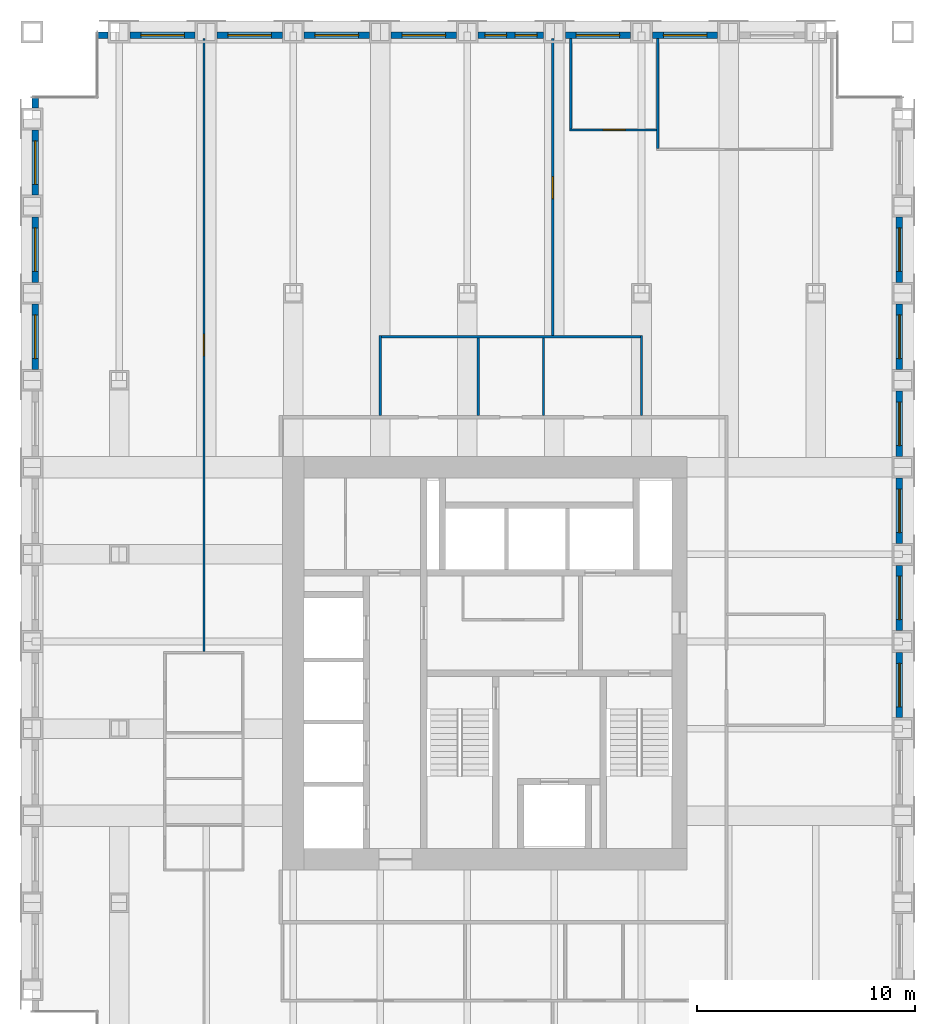
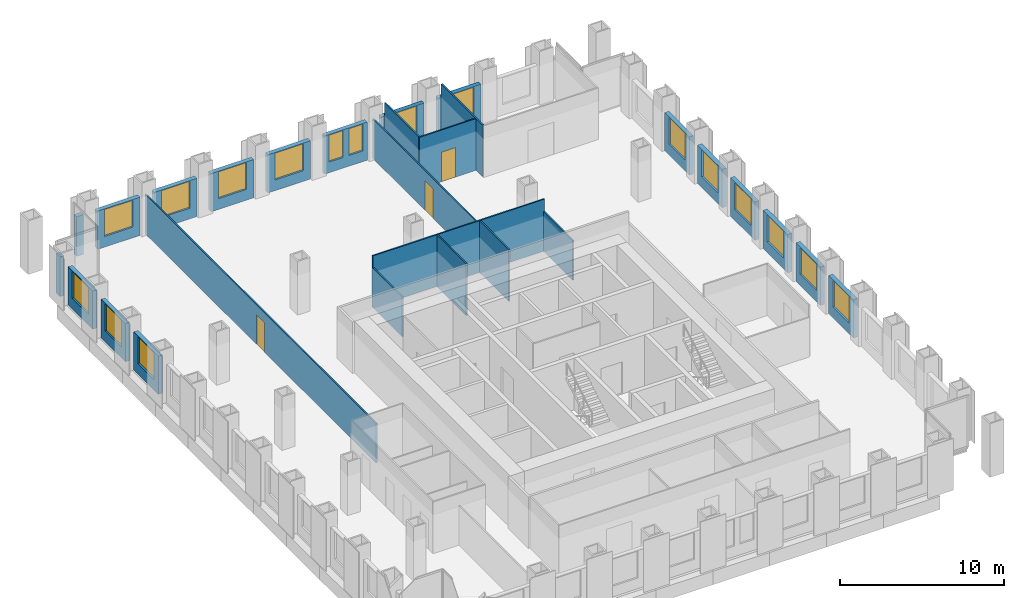
# One storey, part 11 of 13: 28 walls, 17 windows, 3 doors, 20 openings.
"""IFC4 building model written with IfcOpenShell, lengths in metres."""

from ifc_helpers import new_model, si_unit, direction, frame, frame_2d, origin, place, context, subcontext, project, spatial, rectangle, extrude, material, layer, layer_set, type_object, element, fill, save


model = new_model("IFC4")

# Units and contexts
model_context = context("Model", 3, precision=1e-05, world=origin(), true_north=direction((0.0, 1.0)))
body_context = subcontext(model_context, "Body", "Model", "MODEL_VIEW")
ifc_project = project(units=[si_unit("LENGTHUNIT", "METRE"), si_unit("AREAUNIT", "SQUARE_METRE"), si_unit("VOLUMEUNIT", "CUBIC_METRE"), si_unit("PLANEANGLEUNIT", "RADIAN"), si_unit("MASSUNIT", "GRAM", prefix="KILO")], contexts=[model_context])

# Site, building, storey
site_placement = place(None, origin())
site = spatial("IfcSite", under=ifc_project, at=site_placement, CompositionType="ELEMENT")
building_placement = place(site_placement, origin())
building = spatial("IfcBuilding", under=site, at=building_placement, Name="Rimbunsela Tower", CompositionType="ELEMENT")
storey_placement = place(building_placement, frame((0.0, 0.0, 191.800048828125)))
storey = spatial("IfcBuildingStorey", under=building, at=storey_placement, Name="L46", CompositionType="ELEMENT", Elevation=191.800048828125)

# Wall, opening, door
ifc_material_1 = material(Name="Gypsum board on steel studs", Category="steel")
ifc_layer_1 = layer(ifc_material_1, 0.10009765625)
ifc_layer_set_1 = layer_set([ifc_layer_1], Name="Office partition 100")
wall_type_1 = type_object("IfcWallType", Name="Office partition 100", PredefinedType="PARTITIONING", material=ifc_layer_set_1)
wall_1_placement = place(storey_placement, frame((30.699951171875, 51.5, 0.0), z_axis=(0.0, 0.0, 1.0), x_axis=(1.0, 0.0, 0.0)))
wall_1 = element("IfcWall", 1, at=wall_1_placement, inside=storey, type_object=wall_type_1, Name="Office partition", PredefinedType="PARTITIONING", context=body_context, shape_type="SweptSolid", body=[
    extrude(rectangle(XDim=4.0, YDim=0.10009765625, at=frame_2d((2.0, 0.0))), origin(), (0.0, 0.0, 1.0), 3.849853515625),
])
opening_1_placement = place(wall_1_placement, frame((1.550048828125, 0.0, 0.0)))
opening_1 = element("IfcOpeningElement", 2, at=opening_1_placement, cuts=wall_1, Name="Opening D16", PredefinedType="OPENING", context=body_context, shape_type="SweptSolid", body=[
    extrude(rectangle(XDim=1.0, YDim=2.199951171875, at=frame_2d((0.5, 1.10009765625))), frame((0.0, 0.06005859375, 0.0), z_axis=(0.0, -1.0, 0.0), x_axis=(1.0, 0.0, 0.0)), (0.0, 0.0, 1.0), 0.1201171875),
])
ifc_material_2 = material(Name="Timber door", Category="wood")
door_type_1 = type_object("IfcDoorType", Name="Office door 1000", OperationType="SINGLE_SWING_LEFT", PredefinedType="DOOR", material=ifc_material_2)
door_1_placement = place(opening_1_placement, origin())
door_1 = element("IfcDoor", 3, at=door_1_placement, inside=storey, type_object=door_type_1, Name="Office door", OperationType="SINGLE_SWING_LEFT", OverallHeight=2.199951171875, OverallWidth=1.0, PredefinedType="DOOR", context=body_context, shape_type="SweptSolid", body=[
    extrude(rectangle(XDim=1.0, YDim=2.199951171875, at=frame_2d((0.5, 1.10009765625))), frame((0.0, 0.02490234375, 0.0), z_axis=(0.0, -1.0, 0.0), x_axis=(1.0, 0.0, 0.0)), (0.0, 0.0, 1.0), 0.050048828125),
])
fill(opening_1, door_1)

# Walls
wall_2_placement = place(storey_placement, frame((30.75, 51.550048828125, 0.0), z_axis=(0.0, 0.0, 1.0), x_axis=(0.0, 1.0, 0.0)))
element("IfcWall", 4, at=wall_2_placement, inside=storey, type_object=wall_type_1, Name="Office partition", PredefinedType="PARTITIONING", context=body_context, shape_type="SweptSolid", body=[
    extrude(rectangle(XDim=4.14990234375, YDim=0.10009765625, at=frame_2d((2.074951171875, 0.0))), origin(), (0.0, 0.0, 1.0), 3.849853515625),
])
wall_3_placement = place(storey_placement, frame((34.75, 50.64990234375, 0.0), z_axis=(0.0, 0.0, 1.0), x_axis=(0.0, 1.0, 0.0)))
element("IfcWall", 5, at=wall_3_placement, inside=storey, type_object=wall_type_1, Name="Office partition", PredefinedType="PARTITIONING", context=body_context, shape_type="SweptSolid", body=[
    extrude(rectangle(XDim=5.050048828125, YDim=0.10009765625, at=frame_2d((2.52490234375, 0.0))), origin(), (0.0, 0.0, 1.0), 3.849853515625),
])

# Wall, opening, door
wall_4_placement = place(storey_placement, frame((29.925048828125, 55.699951171875, 0.0), z_axis=(0.0, 0.0, 1.0), x_axis=(0.0, -1.0, 0.0)))
wall_4 = element("IfcWall", 6, at=wall_4_placement, inside=storey, type_object=wall_type_1, Name="Office partition", PredefinedType="PARTITIONING", context=body_context, shape_type="SweptSolid", body=[
    extrude(rectangle(XDim=13.699951171875, YDim=0.10009765625, at=frame_2d((6.85009765625, 0.0))), origin(), (0.0, 0.0, 1.0), 2.949951171875),
])
opening_2_placement = place(wall_4_placement, frame((6.35009765625, 0.0, 0.0)))
opening_2 = element("IfcOpeningElement", 7, at=opening_2_placement, cuts=wall_4, Name="Opening D17", PredefinedType="OPENING", context=body_context, shape_type="SweptSolid", body=[
    extrude(rectangle(XDim=1.0, YDim=2.199951171875, at=frame_2d((0.5, 1.10009765625))), frame((0.0, 0.06005859375, 0.0), z_axis=(0.0, -1.0, 0.0), x_axis=(1.0, 0.0, 0.0)), (0.0, 0.0, 1.0), 0.1201171875),
])
ifc_material_3 = material(Name="Glazed aluminium door", Category="aluminium")
door_type_2 = type_object("IfcDoorType", Name="Meeting room door 1000 glazed", OperationType="SINGLE_SWING_RIGHT", PredefinedType="DOOR", material=ifc_material_3)
door_2_placement = place(opening_2_placement, origin())
door_2 = element("IfcDoor", 8, at=door_2_placement, inside=storey, type_object=door_type_2, Name="Open office screen door", OperationType="SINGLE_SWING_RIGHT", OverallHeight=2.199951171875, OverallWidth=1.0, PredefinedType="DOOR", context=body_context, shape_type="SweptSolid", body=[
    extrude(rectangle(XDim=1.0, YDim=2.199951171875, at=frame_2d((0.5, 1.10009765625))), frame((0.0, 0.02490234375, 0.0), z_axis=(0.0, -1.0, 0.0), x_axis=(1.0, 0.0, 0.0)), (0.0, 0.0, 1.0), 0.050048828125),
])
fill(opening_2, door_2)

wall_5_placement = place(storey_placement, frame((13.89990234375, 27.550048828125, 0.0), z_axis=(0.0, 0.0, 1.0), x_axis=(0.0, 1.0, 0.0)))
wall_5 = element("IfcWall", 9, at=wall_5_placement, inside=storey, type_object=wall_type_1, Name="Office partition", PredefinedType="PARTITIONING", context=body_context, shape_type="SweptSolid", body=[
    extrude(rectangle(XDim=28.14990234375, YDim=0.10009765625, at=frame_2d((14.074951171875, 0.0))), origin(), (0.0, 0.0, 1.0), 2.949951171875),
])
opening_3_placement = place(wall_5_placement, frame((13.574951171875, 0.0, 0.0)))
opening_3 = element("IfcOpeningElement", 10, at=opening_3_placement, cuts=wall_5, Name="Opening D17", PredefinedType="OPENING", context=body_context, shape_type="SweptSolid", body=[
    extrude(rectangle(XDim=1.0, YDim=2.199951171875, at=frame_2d((0.5, 1.10009765625))), frame((0.0, 0.06005859375, 0.0), z_axis=(0.0, -1.0, 0.0), x_axis=(1.0, 0.0, 0.0)), (0.0, 0.0, 1.0), 0.1201171875),
])
door_3_placement = place(opening_3_placement, origin())
door_3 = element("IfcDoor", 11, at=door_3_placement, inside=storey, type_object=door_type_2, Name="Open office screen door", OperationType="SINGLE_SWING_RIGHT", OverallHeight=2.199951171875, OverallWidth=1.0, PredefinedType="DOOR", context=body_context, shape_type="SweptSolid", body=[
    extrude(rectangle(XDim=1.0, YDim=2.199951171875, at=frame_2d((0.5, 1.10009765625))), frame((0.0, 0.02490234375, 0.0), z_axis=(0.0, -1.0, 0.0), x_axis=(1.0, 0.0, 0.0)), (0.0, 0.0, 1.0), 0.050048828125),
])
fill(opening_3, door_3)

# Wall, opening, window
ifc_material_4 = material(Name="Precast concrete fc' 35 MPa", Category="concrete")
ifc_layer_2 = layer(ifc_material_4, 0.300048828125)
ifc_layer_set_2 = layer_set([ifc_layer_2], Name="Precast concrete fc' 35 MPa")
wall_type_2 = type_object("IfcWallType", Name="Precast facade panel 300", PredefinedType="ELEMENTEDWALL", material=ifc_layer_set_2)
wall_6_placement = place(storey_placement, frame((45.85009765625, 24.5, 0.0), z_axis=(0.0, 0.0, 1.0), x_axis=(0.0, 1.0, 0.0)))
wall_6 = element("IfcWall", 12, at=wall_6_placement, inside=storey, type_object=wall_type_2, Name="Facade panel E L46", PredefinedType="ELEMENTEDWALL", context=body_context, shape_type="SweptSolid", body=[
    extrude(rectangle(XDim=3.0, YDim=0.300048828125, at=frame_2d((1.5, 0.0))), origin(), (0.0, 0.0, 1.0), 2.849853515625),
])
opening_4_placement = place(wall_6_placement, frame((0.5, 0.0, 0.800048828125)))
opening_4 = element("IfcOpeningElement", 13, at=opening_4_placement, cuts=wall_6, Name="Opening W1", PredefinedType="OPENING", context=body_context, shape_type="SweptSolid", body=[
    extrude(rectangle(XDim=2.0, YDim=2.0, at=frame_2d((1.0, 1.0))), frame((0.0, 0.159912109375, 0.0), z_axis=(0.0, -1.0, 0.0), x_axis=(1.0, 0.0, 0.0)), (0.0, 0.0, 1.0), 0.320068359375),
])
ifc_material_5 = material(Name="Clear glass in aluminium frame", Category="aluminium")
window_type_1 = type_object("IfcWindowType", Name="Window W1 2000x2000", PartitioningType="DOUBLE_PANEL_VERTICAL", PredefinedType="WINDOW", material=ifc_material_5)
window_1_placement = place(opening_4_placement, origin())
window_1 = element("IfcWindow", 14, at=window_1_placement, inside=storey, type_object=window_type_1, Name="Window L46", OverallHeight=2.0, OverallWidth=2.0, PartitioningType="SINGLE_PANEL", PredefinedType="WINDOW", context=body_context, shape_type="SweptSolid", body=[
    extrude(rectangle(XDim=2.0, YDim=2.0, at=frame_2d((1.0, 1.0))), frame((0.0, 0.030029296875, 0.0), z_axis=(0.0, -1.0, 0.0), x_axis=(1.0, 0.0, 0.0)), (0.0, 0.0, 1.0), 0.06005859375),
])
fill(opening_4, window_1)

wall_7_placement = place(storey_placement, frame((45.85009765625, 28.5, 0.0), z_axis=(0.0, 0.0, 1.0), x_axis=(0.0, 1.0, 0.0)))
wall_7 = element("IfcWall", 15, at=wall_7_placement, inside=storey, type_object=wall_type_2, Name="Facade panel E L46", PredefinedType="ELEMENTEDWALL", context=body_context, shape_type="SweptSolid", body=[
    extrude(rectangle(XDim=3.0, YDim=0.300048828125, at=frame_2d((1.5, 0.0))), origin(), (0.0, 0.0, 1.0), 2.849853515625),
])
opening_5_placement = place(wall_7_placement, frame((0.5, 0.0, 0.800048828125)))
opening_5 = element("IfcOpeningElement", 16, at=opening_5_placement, cuts=wall_7, Name="Opening W1", PredefinedType="OPENING", context=body_context, shape_type="SweptSolid", body=[
    extrude(rectangle(XDim=2.0, YDim=2.0, at=frame_2d((1.0, 1.0))), frame((0.0, 0.159912109375, 0.0), z_axis=(0.0, -1.0, 0.0), x_axis=(1.0, 0.0, 0.0)), (0.0, 0.0, 1.0), 0.320068359375),
])
window_2_placement = place(opening_5_placement, origin())
window_2 = element("IfcWindow", 17, at=window_2_placement, inside=storey, type_object=window_type_1, Name="Window L46", OverallHeight=2.0, OverallWidth=2.0, PartitioningType="SINGLE_PANEL", PredefinedType="WINDOW", context=body_context, shape_type="SweptSolid", body=[
    extrude(rectangle(XDim=2.0, YDim=2.0, at=frame_2d((1.0, 1.0))), frame((0.0, 0.030029296875, 0.0), z_axis=(0.0, -1.0, 0.0), x_axis=(1.0, 0.0, 0.0)), (0.0, 0.0, 1.0), 0.06005859375),
])
fill(opening_5, window_2)

wall_8_placement = place(storey_placement, frame((45.85009765625, 32.5, 0.0), z_axis=(0.0, 0.0, 1.0), x_axis=(0.0, 1.0, 0.0)))
wall_8 = element("IfcWall", 18, at=wall_8_placement, inside=storey, type_object=wall_type_2, Name="Facade panel E L46", PredefinedType="ELEMENTEDWALL", context=body_context, shape_type="SweptSolid", body=[
    extrude(rectangle(XDim=3.0, YDim=0.300048828125, at=frame_2d((1.5, 0.0))), origin(), (0.0, 0.0, 1.0), 2.849853515625),
])
opening_6_placement = place(wall_8_placement, frame((0.5, 0.0, 0.800048828125)))
opening_6 = element("IfcOpeningElement", 19, at=opening_6_placement, cuts=wall_8, Name="Opening W1", PredefinedType="OPENING", context=body_context, shape_type="SweptSolid", body=[
    extrude(rectangle(XDim=2.0, YDim=2.0, at=frame_2d((1.0, 1.0))), frame((0.0, 0.159912109375, 0.0), z_axis=(0.0, -1.0, 0.0), x_axis=(1.0, 0.0, 0.0)), (0.0, 0.0, 1.0), 0.320068359375),
])
window_3_placement = place(opening_6_placement, origin())
window_3 = element("IfcWindow", 20, at=window_3_placement, inside=storey, type_object=window_type_1, Name="Window L46", OverallHeight=2.0, OverallWidth=2.0, PartitioningType="SINGLE_PANEL", PredefinedType="WINDOW", context=body_context, shape_type="SweptSolid", body=[
    extrude(rectangle(XDim=2.0, YDim=2.0, at=frame_2d((1.0, 1.0))), frame((0.0, 0.030029296875, 0.0), z_axis=(0.0, -1.0, 0.0), x_axis=(1.0, 0.0, 0.0)), (0.0, 0.0, 1.0), 0.06005859375),
])
fill(opening_6, window_3)

wall_9_placement = place(storey_placement, frame((45.85009765625, 36.5, 0.0), z_axis=(0.0, 0.0, 1.0), x_axis=(0.0, 1.0, 0.0)))
wall_9 = element("IfcWall", 21, at=wall_9_placement, inside=storey, type_object=wall_type_2, Name="Facade panel E L46", PredefinedType="ELEMENTEDWALL", context=body_context, shape_type="SweptSolid", body=[
    extrude(rectangle(XDim=3.0, YDim=0.300048828125, at=frame_2d((1.5, 0.0))), origin(), (0.0, 0.0, 1.0), 2.849853515625),
])
opening_7_placement = place(wall_9_placement, frame((0.5, 0.0, 0.800048828125)))
opening_7 = element("IfcOpeningElement", 22, at=opening_7_placement, cuts=wall_9, Name="Opening W1", PredefinedType="OPENING", context=body_context, shape_type="SweptSolid", body=[
    extrude(rectangle(XDim=2.0, YDim=2.0, at=frame_2d((1.0, 1.0))), frame((0.0, 0.159912109375, 0.0), z_axis=(0.0, -1.0, 0.0), x_axis=(1.0, 0.0, 0.0)), (0.0, 0.0, 1.0), 0.320068359375),
])
window_4_placement = place(opening_7_placement, origin())
window_4 = element("IfcWindow", 23, at=window_4_placement, inside=storey, type_object=window_type_1, Name="Window L46", OverallHeight=2.0, OverallWidth=2.0, PartitioningType="SINGLE_PANEL", PredefinedType="WINDOW", context=body_context, shape_type="SweptSolid", body=[
    extrude(rectangle(XDim=2.0, YDim=2.0, at=frame_2d((1.0, 1.0))), frame((0.0, 0.030029296875, 0.0), z_axis=(0.0, -1.0, 0.0), x_axis=(1.0, 0.0, 0.0)), (0.0, 0.0, 1.0), 0.06005859375),
])
fill(opening_7, window_4)

wall_10_placement = place(storey_placement, frame((45.85009765625, 40.5, 0.0), z_axis=(0.0, 0.0, 1.0), x_axis=(0.0, 1.0, 0.0)))
wall_10 = element("IfcWall", 24, at=wall_10_placement, inside=storey, type_object=wall_type_2, Name="Facade panel E L46", PredefinedType="ELEMENTEDWALL", context=body_context, shape_type="SweptSolid", body=[
    extrude(rectangle(XDim=3.0, YDim=0.300048828125, at=frame_2d((1.5, 0.0))), origin(), (0.0, 0.0, 1.0), 2.849853515625),
])
opening_8_placement = place(wall_10_placement, frame((0.5, 0.0, 0.800048828125)))
opening_8 = element("IfcOpeningElement", 25, at=opening_8_placement, cuts=wall_10, Name="Opening W1", PredefinedType="OPENING", context=body_context, shape_type="SweptSolid", body=[
    extrude(rectangle(XDim=2.0, YDim=2.0, at=frame_2d((1.0, 1.0))), frame((0.0, 0.159912109375, 0.0), z_axis=(0.0, -1.0, 0.0), x_axis=(1.0, 0.0, 0.0)), (0.0, 0.0, 1.0), 0.320068359375),
])
window_5_placement = place(opening_8_placement, origin())
window_5 = element("IfcWindow", 26, at=window_5_placement, inside=storey, type_object=window_type_1, Name="Window L46", OverallHeight=2.0, OverallWidth=2.0, PartitioningType="SINGLE_PANEL", PredefinedType="WINDOW", context=body_context, shape_type="SweptSolid", body=[
    extrude(rectangle(XDim=2.0, YDim=2.0, at=frame_2d((1.0, 1.0))), frame((0.0, 0.030029296875, 0.0), z_axis=(0.0, -1.0, 0.0), x_axis=(1.0, 0.0, 0.0)), (0.0, 0.0, 1.0), 0.06005859375),
])
fill(opening_8, window_5)

wall_11_placement = place(storey_placement, frame((45.85009765625, 44.5, 0.0), z_axis=(0.0, 0.0, 1.0), x_axis=(0.0, 1.0, 0.0)))
wall_11 = element("IfcWall", 27, at=wall_11_placement, inside=storey, type_object=wall_type_2, Name="Facade panel E L46", PredefinedType="ELEMENTEDWALL", context=body_context, shape_type="SweptSolid", body=[
    extrude(rectangle(XDim=3.0, YDim=0.300048828125, at=frame_2d((1.5, 0.0))), origin(), (0.0, 0.0, 1.0), 2.849853515625),
])
opening_9_placement = place(wall_11_placement, frame((0.5, 0.0, 0.800048828125)))
opening_9 = element("IfcOpeningElement", 28, at=opening_9_placement, cuts=wall_11, Name="Opening W1", PredefinedType="OPENING", context=body_context, shape_type="SweptSolid", body=[
    extrude(rectangle(XDim=2.0, YDim=2.0, at=frame_2d((1.0, 1.0))), frame((0.0, 0.159912109375, 0.0), z_axis=(0.0, -1.0, 0.0), x_axis=(1.0, 0.0, 0.0)), (0.0, 0.0, 1.0), 0.320068359375),
])
window_6_placement = place(opening_9_placement, origin())
window_6 = element("IfcWindow", 29, at=window_6_placement, inside=storey, type_object=window_type_1, Name="Window L46", OverallHeight=2.0, OverallWidth=2.0, PartitioningType="SINGLE_PANEL", PredefinedType="WINDOW", context=body_context, shape_type="SweptSolid", body=[
    extrude(rectangle(XDim=2.0, YDim=2.0, at=frame_2d((1.0, 1.0))), frame((0.0, 0.030029296875, 0.0), z_axis=(0.0, -1.0, 0.0), x_axis=(1.0, 0.0, 0.0)), (0.0, 0.0, 1.0), 0.06005859375),
])
fill(opening_9, window_6)

# Wall
wall_12_placement = place(storey_placement, frame((9.5, 55.85009765625, 0.0), z_axis=(0.0, 0.0, 1.0), x_axis=(-1.0, 0.0, 0.0)))
element("IfcWall", 30, at=wall_12_placement, inside=storey, type_object=wall_type_2, Name="Facade panel N L46", PredefinedType="ELEMENTEDWALL", context=body_context, shape_type="SweptSolid", body=[
    extrude(rectangle(XDim=0.469970703125, YDim=0.300048828125, at=frame_2d((0.23486328125, 0.0))), origin(), (0.0, 0.0, 1.0), 2.949951171875),
])

# Wall, opening, window
wall_13_placement = place(storey_placement, frame((13.5, 55.85009765625, 0.0), z_axis=(0.0, 0.0, 1.0), x_axis=(-1.0, 0.0, 0.0)))
wall_13 = element("IfcWall", 31, at=wall_13_placement, inside=storey, type_object=wall_type_2, Name="Facade panel N L46", PredefinedType="ELEMENTEDWALL", context=body_context, shape_type="SweptSolid", body=[
    extrude(rectangle(XDim=3.0, YDim=0.300048828125, at=frame_2d((1.5, 0.0))), origin(), (0.0, 0.0, 1.0), 2.849853515625),
])
opening_10_placement = place(wall_13_placement, frame((0.5, 0.0, 0.800048828125)))
opening_10 = element("IfcOpeningElement", 32, at=opening_10_placement, cuts=wall_13, Name="Opening W1", PredefinedType="OPENING", context=body_context, shape_type="SweptSolid", body=[
    extrude(rectangle(XDim=2.0, YDim=2.0, at=frame_2d((1.0, 1.0))), frame((0.0, 0.159912109375, 0.0), z_axis=(0.0, -1.0, 0.0), x_axis=(1.0, 0.0, 0.0)), (0.0, 0.0, 1.0), 0.320068359375),
])
window_7_placement = place(opening_10_placement, origin())
window_7 = element("IfcWindow", 33, at=window_7_placement, inside=storey, type_object=window_type_1, Name="Window L46", OverallHeight=2.0, OverallWidth=2.0, PartitioningType="SINGLE_PANEL", PredefinedType="WINDOW", context=body_context, shape_type="SweptSolid", body=[
    extrude(rectangle(XDim=2.0, YDim=2.0, at=frame_2d((1.0, 1.0))), frame((0.0, 0.030029296875, 0.0), z_axis=(0.0, -1.0, 0.0), x_axis=(1.0, 0.0, 0.0)), (0.0, 0.0, 1.0), 0.06005859375),
])
fill(opening_10, window_7)

wall_14_placement = place(storey_placement, frame((17.5, 55.85009765625, 0.0), z_axis=(0.0, 0.0, 1.0), x_axis=(-1.0, 0.0, 0.0)))
wall_14 = element("IfcWall", 34, at=wall_14_placement, inside=storey, type_object=wall_type_2, Name="Facade panel N L46", PredefinedType="ELEMENTEDWALL", context=body_context, shape_type="SweptSolid", body=[
    extrude(rectangle(XDim=3.0, YDim=0.300048828125, at=frame_2d((1.5, 0.0))), origin(), (0.0, 0.0, 1.0), 2.849853515625),
])
opening_11_placement = place(wall_14_placement, frame((0.5, 0.0, 0.800048828125)))
opening_11 = element("IfcOpeningElement", 35, at=opening_11_placement, cuts=wall_14, Name="Opening W1", PredefinedType="OPENING", context=body_context, shape_type="SweptSolid", body=[
    extrude(rectangle(XDim=2.0, YDim=2.0, at=frame_2d((1.0, 1.0))), frame((0.0, 0.159912109375, 0.0), z_axis=(0.0, -1.0, 0.0), x_axis=(1.0, 0.0, 0.0)), (0.0, 0.0, 1.0), 0.320068359375),
])
window_8_placement = place(opening_11_placement, origin())
window_8 = element("IfcWindow", 36, at=window_8_placement, inside=storey, type_object=window_type_1, Name="Window L46", OverallHeight=2.0, OverallWidth=2.0, PartitioningType="SINGLE_PANEL", PredefinedType="WINDOW", context=body_context, shape_type="SweptSolid", body=[
    extrude(rectangle(XDim=2.0, YDim=2.0, at=frame_2d((1.0, 1.0))), frame((0.0, 0.030029296875, 0.0), z_axis=(0.0, -1.0, 0.0), x_axis=(1.0, 0.0, 0.0)), (0.0, 0.0, 1.0), 0.06005859375),
])
fill(opening_11, window_8)

wall_15_placement = place(storey_placement, frame((21.5, 55.85009765625, 0.0), z_axis=(0.0, 0.0, 1.0), x_axis=(-1.0, 0.0, 0.0)))
wall_15 = element("IfcWall", 37, at=wall_15_placement, inside=storey, type_object=wall_type_2, Name="Facade panel N L46", PredefinedType="ELEMENTEDWALL", context=body_context, shape_type="SweptSolid", body=[
    extrude(rectangle(XDim=3.0, YDim=0.300048828125, at=frame_2d((1.5, 0.0))), origin(), (0.0, 0.0, 1.0), 2.849853515625),
])
opening_12_placement = place(wall_15_placement, frame((0.5, 0.0, 0.800048828125)))
opening_12 = element("IfcOpeningElement", 38, at=opening_12_placement, cuts=wall_15, Name="Opening W1", PredefinedType="OPENING", context=body_context, shape_type="SweptSolid", body=[
    extrude(rectangle(XDim=2.0, YDim=2.0, at=frame_2d((1.0, 1.0))), frame((0.0, 0.159912109375, 0.0), z_axis=(0.0, -1.0, 0.0), x_axis=(1.0, 0.0, 0.0)), (0.0, 0.0, 1.0), 0.320068359375),
])
window_9_placement = place(opening_12_placement, origin())
window_9 = element("IfcWindow", 39, at=window_9_placement, inside=storey, type_object=window_type_1, Name="Window L46", OverallHeight=2.0, OverallWidth=2.0, PartitioningType="SINGLE_PANEL", PredefinedType="WINDOW", context=body_context, shape_type="SweptSolid", body=[
    extrude(rectangle(XDim=2.0, YDim=2.0, at=frame_2d((1.0, 1.0))), frame((0.0, 0.030029296875, 0.0), z_axis=(0.0, -1.0, 0.0), x_axis=(1.0, 0.0, 0.0)), (0.0, 0.0, 1.0), 0.06005859375),
])
fill(opening_12, window_9)

wall_16_placement = place(storey_placement, frame((25.5, 55.85009765625, 0.0), z_axis=(0.0, 0.0, 1.0), x_axis=(-1.0, 0.0, 0.0)))
wall_16 = element("IfcWall", 40, at=wall_16_placement, inside=storey, type_object=wall_type_2, Name="Facade panel N L46", PredefinedType="ELEMENTEDWALL", context=body_context, shape_type="SweptSolid", body=[
    extrude(rectangle(XDim=3.0, YDim=0.300048828125, at=frame_2d((1.5, 0.0))), origin(), (0.0, 0.0, 1.0), 2.849853515625),
])
opening_13_placement = place(wall_16_placement, frame((0.5, 0.0, 0.800048828125)))
opening_13 = element("IfcOpeningElement", 41, at=opening_13_placement, cuts=wall_16, Name="Opening W1", PredefinedType="OPENING", context=body_context, shape_type="SweptSolid", body=[
    extrude(rectangle(XDim=2.0, YDim=2.0, at=frame_2d((1.0, 1.0))), frame((0.0, 0.159912109375, 0.0), z_axis=(0.0, -1.0, 0.0), x_axis=(1.0, 0.0, 0.0)), (0.0, 0.0, 1.0), 0.320068359375),
])
window_10_placement = place(opening_13_placement, origin())
window_10 = element("IfcWindow", 42, at=window_10_placement, inside=storey, type_object=window_type_1, Name="Window L46", OverallHeight=2.0, OverallWidth=2.0, PartitioningType="SINGLE_PANEL", PredefinedType="WINDOW", context=body_context, shape_type="SweptSolid", body=[
    extrude(rectangle(XDim=2.0, YDim=2.0, at=frame_2d((1.0, 1.0))), frame((0.0, 0.030029296875, 0.0), z_axis=(0.0, -1.0, 0.0), x_axis=(1.0, 0.0, 0.0)), (0.0, 0.0, 1.0), 0.06005859375),
])
fill(opening_13, window_10)

# Wall, openings, windows
wall_17_placement = place(storey_placement, frame((29.5, 55.85009765625, 0.0), z_axis=(0.0, 0.0, 1.0), x_axis=(-1.0, 0.0, 0.0)))
wall_17 = element("IfcWall", 43, at=wall_17_placement, inside=storey, type_object=wall_type_2, Name="Facade panel N L46", PredefinedType="ELEMENTEDWALL", context=body_context, shape_type="SweptSolid", body=[
    extrude(rectangle(XDim=3.0, YDim=0.300048828125, at=frame_2d((1.5, 0.0))), origin(), (0.0, 0.0, 1.0), 2.849853515625),
])
opening_14_placement = place(wall_17_placement, frame((1.699951171875, 0.0, 0.800048828125)))
opening_14 = element("IfcOpeningElement", 44, at=opening_14_placement, cuts=wall_17, Name="Opening W5", PredefinedType="OPENING", context=body_context, shape_type="SweptSolid", body=[
    extrude(rectangle(XDim=1.0, YDim=2.0, at=frame_2d((0.5, 1.0))), frame((0.0, 0.159912109375, 0.0), z_axis=(0.0, -1.0, 0.0), x_axis=(1.0, 0.0, 0.0)), (0.0, 0.0, 1.0), 0.320068359375),
])
opening_15_placement = place(wall_17_placement, frame((0.300048828125, 0.0, 0.800048828125)))
opening_15 = element("IfcOpeningElement", 45, at=opening_15_placement, cuts=wall_17, Name="Opening W5", PredefinedType="OPENING", context=body_context, shape_type="SweptSolid", body=[
    extrude(rectangle(XDim=1.0, YDim=2.0, at=frame_2d((0.5, 1.0))), frame((0.0, 0.159912109375, 0.0), z_axis=(0.0, -1.0, 0.0), x_axis=(1.0, 0.0, 0.0)), (0.0, 0.0, 1.0), 0.320068359375),
])
ifc_material_6 = material(Name="Clear glass in aluminium frame", Category="aluminium")
window_type_2 = type_object("IfcWindowType", Name="Window W5 1000x2000", PartitioningType="SINGLE_PANEL", PredefinedType="WINDOW", material=ifc_material_6)
window_11_placement = place(opening_14_placement, origin())
window_11 = element("IfcWindow", 46, at=window_11_placement, inside=storey, type_object=window_type_2, Name="Window L46", OverallHeight=2.0, OverallWidth=1.0, PartitioningType="SINGLE_PANEL", PredefinedType="WINDOW", context=body_context, shape_type="SweptSolid", body=[
    extrude(rectangle(XDim=1.0, YDim=2.0, at=frame_2d((0.5, 1.0))), frame((0.0, 0.030029296875, 0.0), z_axis=(0.0, -1.0, 0.0), x_axis=(1.0, 0.0, 0.0)), (0.0, 0.0, 1.0), 0.06005859375),
])
fill(opening_14, window_11)
window_12_placement = place(opening_15_placement, origin())
window_12 = element("IfcWindow", 47, at=window_12_placement, inside=storey, type_object=window_type_2, Name="Window L46", OverallHeight=2.0, OverallWidth=1.0, PartitioningType="SINGLE_PANEL", PredefinedType="WINDOW", context=body_context, shape_type="SweptSolid", body=[
    extrude(rectangle(XDim=1.0, YDim=2.0, at=frame_2d((0.5, 1.0))), frame((0.0, 0.030029296875, 0.0), z_axis=(0.0, -1.0, 0.0), x_axis=(1.0, 0.0, 0.0)), (0.0, 0.0, 1.0), 0.06005859375),
])
fill(opening_15, window_12)

# Wall, opening, window
wall_18_placement = place(storey_placement, frame((33.5, 55.85009765625, 0.0), z_axis=(0.0, 0.0, 1.0), x_axis=(-1.0, 0.0, 0.0)))
wall_18 = element("IfcWall", 48, at=wall_18_placement, inside=storey, type_object=wall_type_2, Name="Facade panel N L46", PredefinedType="ELEMENTEDWALL", context=body_context, shape_type="SweptSolid", body=[
    extrude(rectangle(XDim=3.0, YDim=0.300048828125, at=frame_2d((1.5, 0.0))), origin(), (0.0, 0.0, 1.0), 2.849853515625),
])
opening_16_placement = place(wall_18_placement, frame((0.5, 0.0, 0.800048828125)))
opening_16 = element("IfcOpeningElement", 49, at=opening_16_placement, cuts=wall_18, Name="Opening W1", PredefinedType="OPENING", context=body_context, shape_type="SweptSolid", body=[
    extrude(rectangle(XDim=2.0, YDim=2.0, at=frame_2d((1.0, 1.0))), frame((0.0, 0.159912109375, 0.0), z_axis=(0.0, -1.0, 0.0), x_axis=(1.0, 0.0, 0.0)), (0.0, 0.0, 1.0), 0.320068359375),
])
window_13_placement = place(opening_16_placement, origin())
window_13 = element("IfcWindow", 50, at=window_13_placement, inside=storey, type_object=window_type_1, Name="Window L46", OverallHeight=2.0, OverallWidth=2.0, PartitioningType="SINGLE_PANEL", PredefinedType="WINDOW", context=body_context, shape_type="SweptSolid", body=[
    extrude(rectangle(XDim=2.0, YDim=2.0, at=frame_2d((1.0, 1.0))), frame((0.0, 0.030029296875, 0.0), z_axis=(0.0, -1.0, 0.0), x_axis=(1.0, 0.0, 0.0)), (0.0, 0.0, 1.0), 0.06005859375),
])
fill(opening_16, window_13)

wall_19_placement = place(storey_placement, frame((37.5, 55.85009765625, 0.0), z_axis=(0.0, 0.0, 1.0), x_axis=(-1.0, 0.0, 0.0)))
wall_19 = element("IfcWall", 51, at=wall_19_placement, inside=storey, type_object=wall_type_2, Name="Facade panel N L46", PredefinedType="ELEMENTEDWALL", context=body_context, shape_type="SweptSolid", body=[
    extrude(rectangle(XDim=3.0, YDim=0.300048828125, at=frame_2d((1.5, 0.0))), origin(), (0.0, 0.0, 1.0), 2.849853515625),
])
opening_17_placement = place(wall_19_placement, frame((0.5, 0.0, 0.800048828125)))
opening_17 = element("IfcOpeningElement", 52, at=opening_17_placement, cuts=wall_19, Name="Opening W1", PredefinedType="OPENING", context=body_context, shape_type="SweptSolid", body=[
    extrude(rectangle(XDim=2.0, YDim=2.0, at=frame_2d((1.0, 1.0))), frame((0.0, 0.159912109375, 0.0), z_axis=(0.0, -1.0, 0.0), x_axis=(1.0, 0.0, 0.0)), (0.0, 0.0, 1.0), 0.320068359375),
])
window_14_placement = place(opening_17_placement, origin())
window_14 = element("IfcWindow", 53, at=window_14_placement, inside=storey, type_object=window_type_1, Name="Window L46", OverallHeight=2.0, OverallWidth=2.0, PartitioningType="SINGLE_PANEL", PredefinedType="WINDOW", context=body_context, shape_type="SweptSolid", body=[
    extrude(rectangle(XDim=2.0, YDim=2.0, at=frame_2d((1.0, 1.0))), frame((0.0, 0.030029296875, 0.0), z_axis=(0.0, -1.0, 0.0), x_axis=(1.0, 0.0, 0.0)), (0.0, 0.0, 1.0), 0.06005859375),
])
fill(opening_17, window_14)

wall_20_placement = place(storey_placement, frame((6.14990234375, 43.5, 0.0), z_axis=(0.0, 0.0, 1.0), x_axis=(0.0, -1.0, 0.0)))
wall_20 = element("IfcWall", 54, at=wall_20_placement, inside=storey, type_object=wall_type_2, Name="Facade panel W L46", PredefinedType="ELEMENTEDWALL", context=body_context, shape_type="SweptSolid", body=[
    extrude(rectangle(XDim=3.0, YDim=0.300048828125, at=frame_2d((1.5, 0.0))), origin(), (0.0, 0.0, 1.0), 2.849853515625),
])
opening_18_placement = place(wall_20_placement, frame((0.5, 0.0, 0.800048828125)))
opening_18 = element("IfcOpeningElement", 55, at=opening_18_placement, cuts=wall_20, Name="Opening W1", PredefinedType="OPENING", context=body_context, shape_type="SweptSolid", body=[
    extrude(rectangle(XDim=2.0, YDim=2.0, at=frame_2d((1.0, 1.0))), frame((0.0, 0.159912109375, 0.0), z_axis=(0.0, -1.0, 0.0), x_axis=(1.0, 0.0, 0.0)), (0.0, 0.0, 1.0), 0.320068359375),
])
window_15_placement = place(opening_18_placement, origin())
window_15 = element("IfcWindow", 56, at=window_15_placement, inside=storey, type_object=window_type_1, Name="Window L46", OverallHeight=2.0, OverallWidth=2.0, PartitioningType="SINGLE_PANEL", PredefinedType="WINDOW", context=body_context, shape_type="SweptSolid", body=[
    extrude(rectangle(XDim=2.0, YDim=2.0, at=frame_2d((1.0, 1.0))), frame((0.0, 0.030029296875, 0.0), z_axis=(0.0, -1.0, 0.0), x_axis=(1.0, 0.0, 0.0)), (0.0, 0.0, 1.0), 0.06005859375),
])
fill(opening_18, window_15)

wall_21_placement = place(storey_placement, frame((6.14990234375, 47.5, 0.0), z_axis=(0.0, 0.0, 1.0), x_axis=(0.0, -1.0, 0.0)))
wall_21 = element("IfcWall", 57, at=wall_21_placement, inside=storey, type_object=wall_type_2, Name="Facade panel W L46", PredefinedType="ELEMENTEDWALL", context=body_context, shape_type="SweptSolid", body=[
    extrude(rectangle(XDim=3.0, YDim=0.300048828125, at=frame_2d((1.5, 0.0))), origin(), (0.0, 0.0, 1.0), 2.849853515625),
])
opening_19_placement = place(wall_21_placement, frame((0.5, 0.0, 0.800048828125)))
opening_19 = element("IfcOpeningElement", 58, at=opening_19_placement, cuts=wall_21, Name="Opening W1", PredefinedType="OPENING", context=body_context, shape_type="SweptSolid", body=[
    extrude(rectangle(XDim=2.0, YDim=2.0, at=frame_2d((1.0, 1.0))), frame((0.0, 0.159912109375, 0.0), z_axis=(0.0, -1.0, 0.0), x_axis=(1.0, 0.0, 0.0)), (0.0, 0.0, 1.0), 0.320068359375),
])
window_16_placement = place(opening_19_placement, origin())
window_16 = element("IfcWindow", 59, at=window_16_placement, inside=storey, type_object=window_type_1, Name="Window L46", OverallHeight=2.0, OverallWidth=2.0, PartitioningType="SINGLE_PANEL", PredefinedType="WINDOW", context=body_context, shape_type="SweptSolid", body=[
    extrude(rectangle(XDim=2.0, YDim=2.0, at=frame_2d((1.0, 1.0))), frame((0.0, 0.030029296875, 0.0), z_axis=(0.0, -1.0, 0.0), x_axis=(1.0, 0.0, 0.0)), (0.0, 0.0, 1.0), 0.06005859375),
])
fill(opening_19, window_16)

wall_22_placement = place(storey_placement, frame((6.14990234375, 51.5, 0.0), z_axis=(0.0, 0.0, 1.0), x_axis=(0.0, -1.0, 0.0)))
wall_22 = element("IfcWall", 60, at=wall_22_placement, inside=storey, type_object=wall_type_2, Name="Facade panel W L46", PredefinedType="ELEMENTEDWALL", context=body_context, shape_type="SweptSolid", body=[
    extrude(rectangle(XDim=3.0, YDim=0.300048828125, at=frame_2d((1.5, 0.0))), origin(), (0.0, 0.0, 1.0), 2.849853515625),
])
opening_20_placement = place(wall_22_placement, frame((0.5, 0.0, 0.800048828125)))
opening_20 = element("IfcOpeningElement", 61, at=opening_20_placement, cuts=wall_22, Name="Opening W1", PredefinedType="OPENING", context=body_context, shape_type="SweptSolid", body=[
    extrude(rectangle(XDim=2.0, YDim=2.0, at=frame_2d((1.0, 1.0))), frame((0.0, 0.159912109375, 0.0), z_axis=(0.0, -1.0, 0.0), x_axis=(1.0, 0.0, 0.0)), (0.0, 0.0, 1.0), 0.320068359375),
])
window_17_placement = place(opening_20_placement, origin())
window_17 = element("IfcWindow", 62, at=window_17_placement, inside=storey, type_object=window_type_1, Name="Window L46", OverallHeight=2.0, OverallWidth=2.0, PartitioningType="SINGLE_PANEL", PredefinedType="WINDOW", context=body_context, shape_type="SweptSolid", body=[
    extrude(rectangle(XDim=2.0, YDim=2.0, at=frame_2d((1.0, 1.0))), frame((0.0, 0.030029296875, 0.0), z_axis=(0.0, -1.0, 0.0), x_axis=(1.0, 0.0, 0.0)), (0.0, 0.0, 1.0), 0.06005859375),
])
fill(opening_20, window_17)

# Walls
wall_23_placement = place(storey_placement, frame((6.14990234375, 52.969970703125, 0.0), z_axis=(0.0, 0.0, 1.0), x_axis=(0.0, -1.0, 0.0)))
element("IfcWall", 63, at=wall_23_placement, inside=storey, type_object=wall_type_2, Name="Facade panel W L46", PredefinedType="ELEMENTEDWALL", context=body_context, shape_type="SweptSolid", body=[
    extrude(rectangle(XDim=0.469970703125, YDim=0.300048828125, at=frame_2d((0.23486328125, 0.0))), origin(), (0.0, 0.0, 1.0), 2.949951171875),
])
ifc_material_7 = material(Name="Concrete blockwork", Category="masonry")
ifc_layer_3 = layer(ifc_material_7, 0.10009765625)
ifc_layer_set_3 = layer_set([ifc_layer_3], Name="Toilet partition 100")
wall_type_3 = type_object("IfcWallType", Name="Toilet partition 100", PredefinedType="PARTITIONING", material=ifc_layer_set_3)
for number, where, z_axis, x_axis, name in (
    (64, (22.0, 38.375, 0.0), (0.0, 0.0, 1.0), (0.0, 1.0, 0.0), "Toilet block wall west"),
    (65, (34.0, 38.375, 0.0), (0.0, 0.0, 1.0), (0.0, 1.0, 0.0), "Toilet block wall east"),
):
    element("IfcWall", number, at=place(storey_placement, frame(where, z_axis=z_axis, x_axis=x_axis)), inside=storey, type_object=wall_type_3, Name=name, PredefinedType="PARTITIONING", context=body_context, shape_type="SweptSolid", body=[
        extrude(rectangle(XDim=3.675048828125, YDim=0.10009765625, at=frame_2d((1.83740234375, 0.0))), origin(), (0.0, 0.0, 1.0), 2.949951171875),
    ])
wall_24_placement = place(storey_placement, frame((21.949951171875, 42.0, 0.0), z_axis=(0.0, 0.0, 1.0), x_axis=(1.0, 0.0, 0.0)))
element("IfcWall", 66, at=wall_24_placement, inside=storey, type_object=wall_type_3, Name="Toilet block wall north", PredefinedType="PARTITIONING", context=body_context, shape_type="SweptSolid", body=[
    extrude(rectangle(XDim=12.10009765625, YDim=0.10009765625, at=frame_2d((6.050048828125, 0.0))), origin(), (0.0, 0.0, 1.0), 3.849853515625),
])
for number, where, z_axis, x_axis, name in (
    (67, (26.5, 38.375, 0.0), (0.0, 0.0, 1.0), (0.0, 1.0, 0.0), "Toilet partition"),
    (68, (29.5, 38.375, 0.0), (0.0, 0.0, 1.0), (0.0, 1.0, 0.0), "Toilet partition"),
):
    element("IfcWall", number, at=place(storey_placement, frame(where, z_axis=z_axis, x_axis=x_axis)), inside=storey, type_object=wall_type_3, Name=name, PredefinedType="PARTITIONING", context=body_context, shape_type="SweptSolid", body=[
        extrude(rectangle(XDim=3.574951171875, YDim=0.10009765625, at=frame_2d((1.78759765625, 0.0))), origin(), (0.0, 0.0, 1.0), 3.849853515625),
    ])

save(model, "model.ifc")
